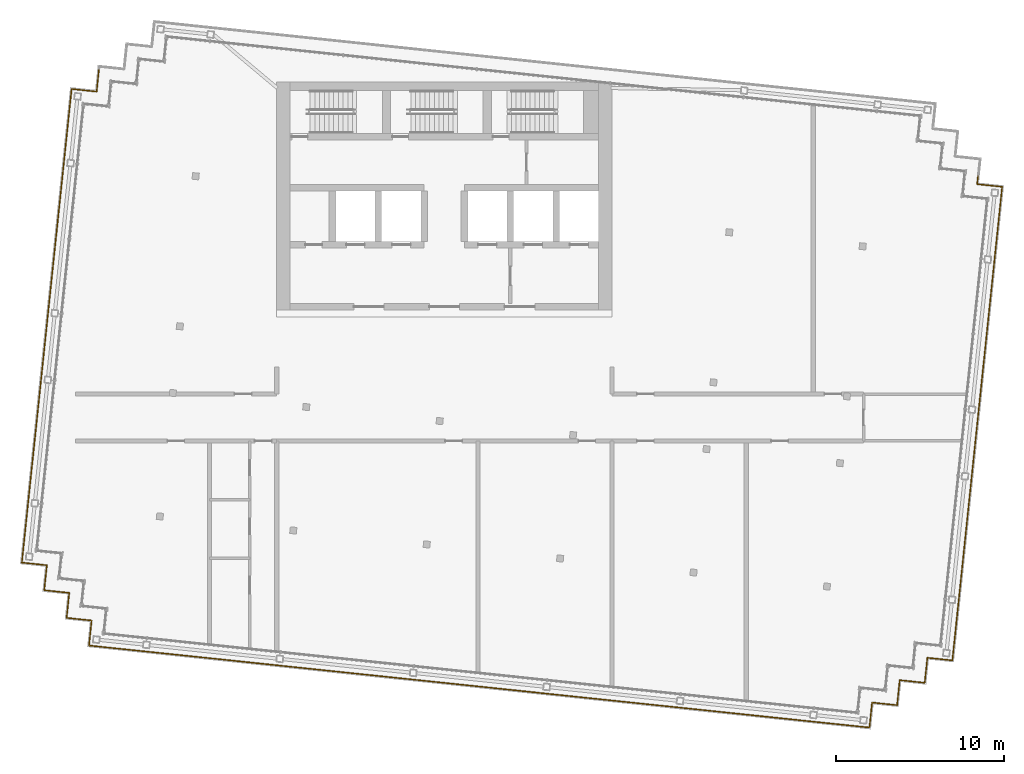
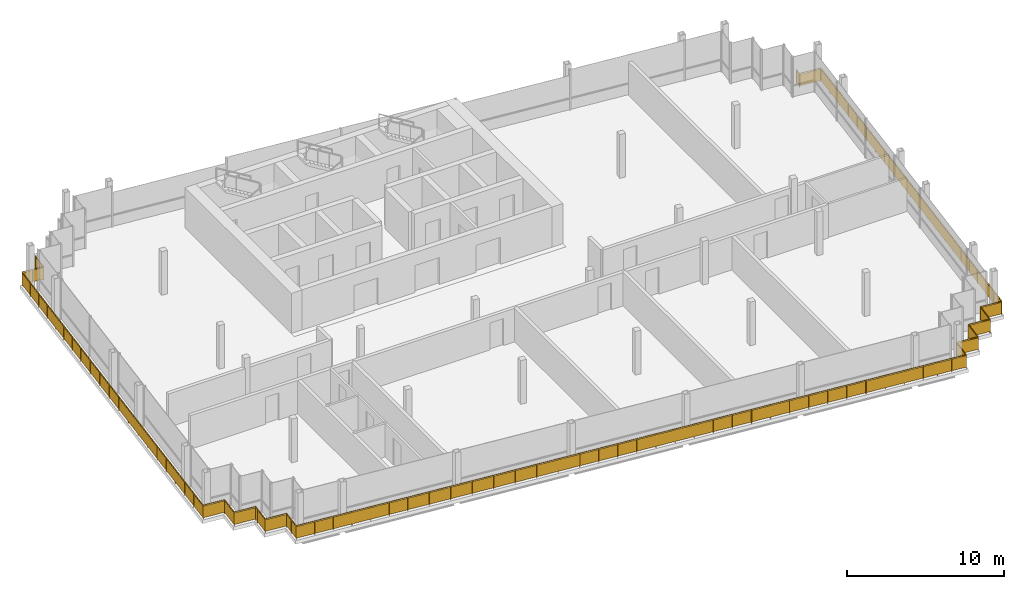
# One storey, part 13 of 15: 11 railings.
"""IFC4 building model written with IfcOpenShell, lengths in metres."""

from ifc_helpers import new_model, si_unit, direction, frame, origin, origin_2d, place, context, subcontext, project, spatial, rectangle, circle, extrude, material, type_object, element, save


model = new_model("IFC4")

# Units and contexts
model_context = context("Model", 3, precision=1e-05, world=origin(), true_north=direction((0.0, 1.0)))
body_context = subcontext(model_context, "Body", "Model", "MODEL_VIEW")
ifc_project = project(units=[si_unit("LENGTHUNIT", "METRE"), si_unit("AREAUNIT", "SQUARE_METRE"), si_unit("VOLUMEUNIT", "CUBIC_METRE"), si_unit("PLANEANGLEUNIT", "RADIAN"), si_unit("MASSUNIT", "GRAM", prefix="KILO")], contexts=[model_context])

# Site, building, storey
site_placement = place(None, origin())
site = spatial("IfcSite", under=ifc_project, at=site_placement, CompositionType="ELEMENT")
building_placement = place(site_placement, origin())
building = spatial("IfcBuilding", under=site, at=building_placement, Name="Vidyagriha Tower", CompositionType="ELEMENT")
storey_placement = place(building_placement, frame((0.0, 0.0, 291.5)))
storey = spatial("IfcBuildingStorey", under=building, at=storey_placement, Name="L75", CompositionType="ELEMENT", Elevation=291.5)

# Railings
ifc_material = material(Name="Steel ASTM A500 Grade C black painted", Category="steel")
railing_type = type_object("IfcRailingType", Name="Gallery guard 1100", PredefinedType="GUARDRAIL", material=ifc_material)
railing_1_placement = place(storey_placement, frame((30.297607421875, -14.485595703125, 0.0)))
element("IfcRailing", 1, at=railing_1_placement, inside=storey, type_object=railing_type, Name="Gallery guard L75 1", PredefinedType="GUARDRAIL", context=body_context, shape_type="SweptSolid", body=[
    extrude(circle(Radius=0.02490234375, at=origin_2d()), frame((0.0, 0.0, 1.0751953125), z_axis=(-0.994525057048, 0.104498377516, 0.0), x_axis=(-0.104498377516, -0.994525057048, 0.0)), (0.0, 0.0, 1.0), 1.5),
    extrude(circle(Radius=0.02490234375, at=origin_2d()), frame((-1.49169921875, 0.15673828125, 1.0751953125), z_axis=(-0.104498377516, -0.994525057048, 0.0), x_axis=(0.994525057048, -0.104498377516, 0.0)), (0.0, 0.0, 1.0), 1.5),
    extrude(circle(Radius=0.02490234375, at=origin_2d()), frame((-1.6484375, -1.3349609375, 1.0751953125), z_axis=(-0.994525057048, 0.104498377516, 0.0), x_axis=(-0.104498377516, -0.994525057048, 0.0)), (0.0, 0.0, 1.0), 1.5),
    extrude(circle(Radius=0.02490234375, at=origin_2d()), frame((-3.14013671875, -1.17822265625, 1.0751953125), z_axis=(-0.104659366031, -0.994508128223, 0.0), x_axis=(0.994508128223, -0.104659366031, 0.0)), (0.0, 0.0, 1.0), 1.5),
    extrude(circle(Radius=0.02490234375, at=origin_2d()), frame((-3.297119140625, -2.669921875, 1.0751953125), z_axis=(-0.994525057048, 0.104498377516, 0.0), x_axis=(-0.104498377516, -0.994525057048, 0.0)), (0.0, 0.0, 1.0), 1.5),
    extrude(circle(Radius=0.02490234375, at=origin_2d()), frame((-4.788818359375, -2.51318359375, 1.0751953125), z_axis=(-0.104498377516, -0.994525057048, 0.0), x_axis=(0.994525057048, -0.104498377516, 0.0)), (0.0, 0.0, 1.0), 1.5),
    extrude(circle(Radius=0.02490234375, at=origin_2d()), frame((-4.945556640625, -4.0048828125, 1.0751953125), z_axis=(-0.994525945657, 0.104489920156, 0.0), x_axis=(-0.104489920156, -0.994525945657, 0.0)), (0.0, 0.0, 1.0), 3.0),
    extrude(circle(Radius=0.02001953125, at=origin_2d()), origin(), (0.0, 0.0, 1.0), 1.050048828125),
    extrude(circle(Radius=0.02001953125, at=origin_2d()), frame((-1.49169921875, 0.15673828125, 0.0)), (0.0, 0.0, 1.0), 1.050048828125),
    extrude(circle(Radius=0.02001953125, at=origin_2d()), frame((-1.6484375, -1.3349609375, 0.0)), (0.0, 0.0, 1.0), 1.050048828125),
    extrude(circle(Radius=0.02001953125, at=origin_2d()), frame((-3.14013671875, -1.17822265625, 0.0)), (0.0, 0.0, 1.0), 1.050048828125),
    extrude(circle(Radius=0.02001953125, at=origin_2d()), frame((-3.297119140625, -2.669921875, 0.0)), (0.0, 0.0, 1.0), 1.050048828125),
    extrude(circle(Radius=0.02001953125, at=origin_2d()), frame((-4.788818359375, -2.51318359375, 0.0)), (0.0, 0.0, 1.0), 1.050048828125),
    extrude(circle(Radius=0.02001953125, at=origin_2d()), frame((-4.945556640625, -4.0048828125, 0.0)), (0.0, 0.0, 1.0), 1.050048828125),
    extrude(circle(Radius=0.02001953125, at=origin_2d()), frame((-5.940185546875, -3.900390625, 0.0)), (0.0, 0.0, 1.0), 1.050048828125),
    extrude(circle(Radius=0.02001953125, at=origin_2d()), frame((-6.9345703125, -3.7958984375, 0.0)), (0.0, 0.0, 1.0), 1.050048828125),
    extrude(circle(Radius=0.02001953125, at=origin_2d()), frame((-7.92919921875, -3.69140625, 0.0)), (0.0, 0.0, 1.0), 1.050048828125),
    extrude(rectangle(XDim=0.010009765625, YDim=0.900146484375, at=origin_2d()), frame((0.0, 0.0, 0.550048828125), z_axis=(-0.994525057048, 0.104498377516, 0.0), x_axis=(-0.104498377516, -0.994525057048, 0.0)), (0.0, 0.0, 1.0), 1.5),
    extrude(rectangle(XDim=0.010009765625, YDim=0.900146484375, at=origin_2d()), frame((-1.49169921875, 0.15673828125, 0.550048828125), z_axis=(-0.104498377516, -0.994525057048, 0.0), x_axis=(0.994525057048, -0.104498377516, 0.0)), (0.0, 0.0, 1.0), 1.5),
    extrude(rectangle(XDim=0.010009765625, YDim=0.900146484375, at=origin_2d()), frame((-1.6484375, -1.3349609375, 0.550048828125), z_axis=(-0.994525057048, 0.104498377516, 0.0), x_axis=(-0.104498377516, -0.994525057048, 0.0)), (0.0, 0.0, 1.0), 1.5),
    extrude(rectangle(XDim=0.010009765625, YDim=0.900146484375, at=origin_2d()), frame((-3.14013671875, -1.17822265625, 0.550048828125), z_axis=(-0.104659366031, -0.994508128223, 0.0), x_axis=(0.994508128223, -0.104659366031, 0.0)), (0.0, 0.0, 1.0), 1.5),
    extrude(rectangle(XDim=0.010009765625, YDim=0.900146484375, at=origin_2d()), frame((-3.297119140625, -2.669921875, 0.550048828125), z_axis=(-0.994525057048, 0.104498377516, 0.0), x_axis=(-0.104498377516, -0.994525057048, 0.0)), (0.0, 0.0, 1.0), 1.5),
    extrude(rectangle(XDim=0.010009765625, YDim=0.900146484375, at=origin_2d()), frame((-4.788818359375, -2.51318359375, 0.550048828125), z_axis=(-0.104498377516, -0.994525057048, 0.0), x_axis=(0.994525057048, -0.104498377516, 0.0)), (0.0, 0.0, 1.0), 1.5),
    extrude(rectangle(XDim=0.010009765625, YDim=0.900146484375, at=origin_2d()), frame((-4.945556640625, -4.0048828125, 0.550048828125), z_axis=(-0.994525945657, 0.104489920156, 0.0), x_axis=(-0.104489920156, -0.994525945657, 0.0)), (0.0, 0.0, 1.0), 3.0),
])
railing_2_placement = place(storey_placement, frame((22.368408203125, -18.177001953125, 0.0)))
element("IfcRailing", 2, at=railing_2_placement, inside=storey, type_object=railing_type, Name="Gallery guard L75 2", PredefinedType="GUARDRAIL", context=body_context, shape_type="SweptSolid", body=[
    extrude(circle(Radius=0.02490234375, at=origin_2d()), frame((0.0, 0.0, 1.0751953125), z_axis=(-0.994521494219, 0.104532279878, 0.0), x_axis=(-0.104532279878, -0.994521494219, 0.0)), (0.0, 0.0, 1.0), 12.0),
    extrude(circle(Radius=0.02001953125, at=origin_2d()), origin(), (0.0, 0.0, 1.0), 1.050048828125),
    extrude(circle(Radius=0.02001953125, at=origin_2d()), frame((-1.325927734375, 0.139404296875, 0.0)), (0.0, 0.0, 1.0), 1.050048828125),
    extrude(circle(Radius=0.02001953125, at=origin_2d()), frame((-2.652099609375, 0.27880859375, 0.0)), (0.0, 0.0, 1.0), 1.050048828125),
    extrude(circle(Radius=0.02001953125, at=origin_2d()), frame((-3.97802734375, 0.418212890625, 0.0)), (0.0, 0.0, 1.0), 1.050048828125),
    extrude(circle(Radius=0.02001953125, at=origin_2d()), frame((-5.30419921875, 0.5576171875, 0.0)), (0.0, 0.0, 1.0), 1.050048828125),
    extrude(circle(Radius=0.02001953125, at=origin_2d()), frame((-6.630126953125, 0.69677734375, 0.0)), (0.0, 0.0, 1.0), 1.050048828125),
    extrude(circle(Radius=0.02001953125, at=origin_2d()), frame((-7.956298828125, 0.836181640625, 0.0)), (0.0, 0.0, 1.0), 1.050048828125),
    extrude(circle(Radius=0.02001953125, at=origin_2d()), frame((-9.2822265625, 0.9755859375, 0.0)), (0.0, 0.0, 1.0), 1.050048828125),
    extrude(circle(Radius=0.02001953125, at=origin_2d()), frame((-10.6083984375, 1.114990234375, 0.0)), (0.0, 0.0, 1.0), 1.050048828125),
    extrude(circle(Radius=0.02001953125, at=origin_2d()), frame((-11.934326171875, 1.25439453125, 0.0)), (0.0, 0.0, 1.0), 1.050048828125),
    extrude(rectangle(XDim=0.010009765625, YDim=0.900146484375, at=origin_2d()), frame((0.0, 0.0, 0.550048828125), z_axis=(-0.994521494219, 0.104532279878, 0.0), x_axis=(-0.104532279878, -0.994521494219, 0.0)), (0.0, 0.0, 1.0), 12.0),
])
railing_3_placement = place(storey_placement, frame((10.43408203125, -16.922607421875, 0.0)))
element("IfcRailing", 3, at=railing_3_placement, inside=storey, type_object=railing_type, Name="Gallery guard L75 3", PredefinedType="GUARDRAIL", context=body_context, shape_type="SweptSolid", body=[
    extrude(circle(Radius=0.02490234375, at=origin_2d()), frame((0.0, 0.0, 1.0751953125), z_axis=(-0.994521494219, 0.104532279878, 0.0), x_axis=(-0.104532279878, -0.994521494219, 0.0)), (0.0, 0.0, 1.0), 12.0),
    extrude(circle(Radius=0.02001953125, at=origin_2d()), origin(), (0.0, 0.0, 1.0), 1.050048828125),
    extrude(circle(Radius=0.02001953125, at=origin_2d()), frame((-1.325927734375, 0.139404296875, 0.0)), (0.0, 0.0, 1.0), 1.050048828125),
    extrude(circle(Radius=0.02001953125, at=origin_2d()), frame((-2.652099609375, 0.27880859375, 0.0)), (0.0, 0.0, 1.0), 1.050048828125),
    extrude(circle(Radius=0.02001953125, at=origin_2d()), frame((-3.97802734375, 0.418212890625, 0.0)), (0.0, 0.0, 1.0), 1.050048828125),
    extrude(circle(Radius=0.02001953125, at=origin_2d()), frame((-5.30419921875, 0.5576171875, 0.0)), (0.0, 0.0, 1.0), 1.050048828125),
    extrude(circle(Radius=0.02001953125, at=origin_2d()), frame((-6.630126953125, 0.69677734375, 0.0)), (0.0, 0.0, 1.0), 1.050048828125),
    extrude(circle(Radius=0.02001953125, at=origin_2d()), frame((-7.956298828125, 0.836181640625, 0.0)), (0.0, 0.0, 1.0), 1.050048828125),
    extrude(circle(Radius=0.02001953125, at=origin_2d()), frame((-9.2822265625, 0.9755859375, 0.0)), (0.0, 0.0, 1.0), 1.050048828125),
    extrude(circle(Radius=0.02001953125, at=origin_2d()), frame((-10.6083984375, 1.114990234375, 0.0)), (0.0, 0.0, 1.0), 1.050048828125),
    extrude(circle(Radius=0.02001953125, at=origin_2d()), frame((-11.934326171875, 1.25439453125, 0.0)), (0.0, 0.0, 1.0), 1.050048828125),
    extrude(rectangle(XDim=0.010009765625, YDim=0.900146484375, at=origin_2d()), frame((0.0, 0.0, 0.550048828125), z_axis=(-0.994521494219, 0.104532279878, 0.0), x_axis=(-0.104532279878, -0.994521494219, 0.0)), (0.0, 0.0, 1.0), 12.0),
])
railing_4_placement = place(storey_placement, frame((-1.500244140625, -15.668212890625, 0.0)))
element("IfcRailing", 4, at=railing_4_placement, inside=storey, type_object=railing_type, Name="Gallery guard L75 4", PredefinedType="GUARDRAIL", context=body_context, shape_type="SweptSolid", body=[
    extrude(circle(Radius=0.02490234375, at=origin_2d()), frame((0.0, 0.0, 1.0751953125), z_axis=(-0.994521271903, 0.104534394972, 0.0), x_axis=(-0.104534394972, -0.994521271903, 0.0)), (0.0, 0.0, 1.0), 11.999755859375),
    extrude(circle(Radius=0.02001953125, at=origin_2d()), origin(), (0.0, 0.0, 1.0), 1.050048828125),
    extrude(circle(Radius=0.02001953125, at=origin_2d()), frame((-1.49169921875, 0.15673828125, 0.0)), (0.0, 0.0, 1.0), 1.050048828125),
    extrude(circle(Radius=0.02001953125, at=origin_2d()), frame((-2.9833984375, 0.3134765625, 0.0)), (0.0, 0.0, 1.0), 1.050048828125),
    extrude(circle(Radius=0.02001953125, at=origin_2d()), frame((-4.475341796875, 0.470458984375, 0.0)), (0.0, 0.0, 1.0), 1.050048828125),
    extrude(circle(Radius=0.02001953125, at=origin_2d()), frame((-5.967041015625, 0.627197265625, 0.0)), (0.0, 0.0, 1.0), 1.050048828125),
    extrude(circle(Radius=0.02001953125, at=origin_2d()), frame((-7.458740234375, 0.783935546875, 0.0)), (0.0, 0.0, 1.0), 1.050048828125),
    extrude(circle(Radius=0.02001953125, at=origin_2d()), frame((-8.95068359375, 0.94091796875, 0.0)), (0.0, 0.0, 1.0), 1.050048828125),
    extrude(circle(Radius=0.02001953125, at=origin_2d()), frame((-10.4423828125, 1.09765625, 0.0)), (0.0, 0.0, 1.0), 1.050048828125),
    extrude(circle(Radius=0.02001953125, at=origin_2d()), frame((-11.93408203125, 1.25439453125, 0.0)), (0.0, 0.0, 1.0), 1.050048828125),
    extrude(rectangle(XDim=0.010009765625, YDim=0.900146484375, at=origin_2d()), frame((0.0, 0.0, 0.550048828125), z_axis=(-0.994521271903, 0.104534394972, 0.0), x_axis=(-0.104534394972, -0.994521271903, 0.0)), (0.0, 0.0, 1.0), 11.999755859375),
])
railing_5_placement = place(storey_placement, frame((-13.434326171875, -14.413818359375, 0.0)))
element("IfcRailing", 5, at=railing_5_placement, inside=storey, type_object=railing_type, Name="Gallery guard L75 5", PredefinedType="GUARDRAIL", context=body_context, shape_type="SweptSolid", body=[
    extrude(circle(Radius=0.02490234375, at=origin_2d()), frame((0.0, 0.0, 1.0751953125), z_axis=(-0.994523788829, 0.10451044662, 0.0), x_axis=(-0.10451044662, -0.994523788829, 0.0)), (0.0, 0.0, 1.0), 7.800048828125),
    extrude(circle(Radius=0.02490234375, at=origin_2d()), frame((-7.75732421875, 0.815185546875, 1.0751953125), z_axis=(0.104481464157, 0.994526834051, 0.0), x_axis=(-0.994526834051, 0.104481464157, 0.0)), (0.0, 0.0, 1.0), 1.500244140625),
    extrude(circle(Radius=0.02490234375, at=origin_2d()), frame((-7.6005859375, 2.30712890625, 1.0751953125), z_axis=(-0.994525057048, 0.104498377516, 0.0), x_axis=(-0.104498377516, -0.994525057048, 0.0)), (0.0, 0.0, 1.0), 1.5),
    extrude(circle(Radius=0.02490234375, at=origin_2d()), frame((-9.09228515625, 2.4638671875, 1.0751953125), z_axis=(0.104578872801, 0.994516595821, 0.0), x_axis=(-0.994516595821, 0.104578872801, 0.0)), (0.0, 0.0, 1.0), 1.199951171875),
    extrude(circle(Radius=0.02001953125, at=origin_2d()), origin(), (0.0, 0.0, 1.0), 1.050048828125),
    extrude(circle(Radius=0.02001953125, at=origin_2d()), frame((-1.29296875, 0.1357421875, 0.0)), (0.0, 0.0, 1.0), 1.050048828125),
    extrude(circle(Radius=0.02001953125, at=origin_2d()), frame((-2.585693359375, 0.271728515625, 0.0)), (0.0, 0.0, 1.0), 1.050048828125),
    extrude(circle(Radius=0.02001953125, at=origin_2d()), frame((-3.878662109375, 0.40771484375, 0.0)), (0.0, 0.0, 1.0), 1.050048828125),
    extrude(circle(Radius=0.02001953125, at=origin_2d()), frame((-5.171630859375, 0.54345703125, 0.0)), (0.0, 0.0, 1.0), 1.050048828125),
    extrude(circle(Radius=0.02001953125, at=origin_2d()), frame((-6.46435546875, 0.67919921875, 0.0)), (0.0, 0.0, 1.0), 1.050048828125),
    extrude(circle(Radius=0.02001953125, at=origin_2d()), frame((-7.75732421875, 0.815185546875, 0.0)), (0.0, 0.0, 1.0), 1.050048828125),
    extrude(circle(Radius=0.02001953125, at=origin_2d()), frame((-7.678955078125, 1.56103515625, 0.0)), (0.0, 0.0, 1.0), 1.050048828125),
    extrude(circle(Radius=0.02001953125, at=origin_2d()), frame((-7.6005859375, 2.30712890625, 0.0)), (0.0, 0.0, 1.0), 1.050048828125),
    extrude(circle(Radius=0.02001953125, at=origin_2d()), frame((-9.09228515625, 2.4638671875, 0.0)), (0.0, 0.0, 1.0), 1.050048828125),
    extrude(circle(Radius=0.02001953125, at=origin_2d()), frame((-8.966796875, 3.6572265625, 0.0)), (0.0, 0.0, 1.0), 1.050048828125),
    extrude(rectangle(XDim=0.010009765625, YDim=0.900146484375, at=origin_2d()), frame((0.0, 0.0, 0.550048828125), z_axis=(-0.994523788829, 0.10451044662, 0.0), x_axis=(-0.10451044662, -0.994523788829, 0.0)), (0.0, 0.0, 1.0), 7.800048828125),
    extrude(rectangle(XDim=0.010009765625, YDim=0.900146484375, at=origin_2d()), frame((-7.75732421875, 0.815185546875, 0.550048828125), z_axis=(0.104481464157, 0.994526834051, 0.0), x_axis=(-0.994526834051, 0.104481464157, 0.0)), (0.0, 0.0, 1.0), 1.500244140625),
    extrude(rectangle(XDim=0.010009765625, YDim=0.900146484375, at=origin_2d()), frame((-7.6005859375, 2.30712890625, 0.550048828125), z_axis=(-0.994525057048, 0.104498377516, 0.0), x_axis=(-0.104498377516, -0.994525057048, 0.0)), (0.0, 0.0, 1.0), 1.5),
    extrude(rectangle(XDim=0.010009765625, YDim=0.900146484375, at=origin_2d()), frame((-9.09228515625, 2.4638671875, 0.550048828125), z_axis=(0.104578872801, 0.994516595821, 0.0), x_axis=(-0.994516595821, 0.104578872801, 0.0)), (0.0, 0.0, 1.0), 1.199951171875),
])
railing_6_placement = place(storey_placement, frame((-22.401123046875, -10.756591796875, 0.0)))
element("IfcRailing", 6, at=railing_6_placement, inside=storey, type_object=railing_type, Name="Gallery guard L75 6", PredefinedType="GUARDRAIL", context=body_context, shape_type="SweptSolid", body=[
    extrude(circle(Radius=0.02490234375, at=origin_2d()), frame((0.0, 0.0, 1.0751953125), z_axis=(0.104176375855, 0.994558838236, 0.0), x_axis=(-0.994558838236, 0.104176375855, 0.0)), (0.0, 0.0, 1.0), 0.300048828125),
    extrude(circle(Radius=0.02490234375, at=origin_2d()), frame((0.03125, 0.29833984375, 1.0751953125), z_axis=(-0.994525057048, 0.104498377516, 0.0), x_axis=(-0.104498377516, -0.994525057048, 0.0)), (0.0, 0.0, 1.0), 1.5),
    extrude(circle(Radius=0.02490234375, at=origin_2d()), frame((-1.46044921875, 0.455078125, 1.0751953125), z_axis=(0.104498377516, 0.994525057048, 0.0), x_axis=(-0.994525057048, 0.104498377516, 0.0)), (0.0, 0.0, 1.0), 1.5),
    extrude(circle(Radius=0.02490234375, at=origin_2d()), frame((-1.3037109375, 1.94677734375, 1.0751953125), z_axis=(-0.994508128223, 0.104659366031, 0.0), x_axis=(-0.104659366031, -0.994508128223, 0.0)), (0.0, 0.0, 1.0), 1.5),
    extrude(circle(Radius=0.02490234375, at=origin_2d()), frame((-2.79541015625, 2.103759765625, 1.0751953125), z_axis=(0.10450474476, 0.994524387998, 0.0), x_axis=(-0.994524387998, 0.10450474476, 0.0)), (0.0, 0.0, 1.0), 7.199951171875),
    extrude(circle(Radius=0.02001953125, at=origin_2d()), origin(), (0.0, 0.0, 1.0), 1.050048828125),
    extrude(circle(Radius=0.02001953125, at=origin_2d()), frame((0.03125, 0.29833984375, 0.0)), (0.0, 0.0, 1.0), 1.050048828125),
    extrude(circle(Radius=0.02001953125, at=origin_2d()), frame((-1.46044921875, 0.455078125, 0.0)), (0.0, 0.0, 1.0), 1.050048828125),
    extrude(circle(Radius=0.02001953125, at=origin_2d()), frame((-1.3037109375, 1.94677734375, 0.0)), (0.0, 0.0, 1.0), 1.050048828125),
    extrude(circle(Radius=0.02001953125, at=origin_2d()), frame((-2.79541015625, 2.103759765625, 0.0)), (0.0, 0.0, 1.0), 1.050048828125),
    extrude(circle(Radius=0.02001953125, at=origin_2d()), frame((-2.64501953125, 3.535888671875, 0.0)), (0.0, 0.0, 1.0), 1.050048828125),
    extrude(circle(Radius=0.02001953125, at=origin_2d()), frame((-2.494384765625, 4.968017578125, 0.0)), (0.0, 0.0, 1.0), 1.050048828125),
    extrude(circle(Radius=0.02001953125, at=origin_2d()), frame((-2.343994140625, 6.400146484375, 0.0)), (0.0, 0.0, 1.0), 1.050048828125),
    extrude(circle(Radius=0.02001953125, at=origin_2d()), frame((-2.193359375, 7.832275390625, 0.0)), (0.0, 0.0, 1.0), 1.050048828125),
    extrude(circle(Radius=0.02001953125, at=origin_2d()), frame((-2.04296875, 9.264404296875, 0.0)), (0.0, 0.0, 1.0), 1.050048828125),
    extrude(rectangle(XDim=0.010009765625, YDim=0.900146484375, at=origin_2d()), frame((0.0, 0.0, 0.550048828125), z_axis=(0.104176375855, 0.994558838236, 0.0), x_axis=(-0.994558838236, 0.104176375855, 0.0)), (0.0, 0.0, 1.0), 0.300048828125),
    extrude(rectangle(XDim=0.010009765625, YDim=0.900146484375, at=origin_2d()), frame((0.03125, 0.29833984375, 0.550048828125), z_axis=(-0.994525057048, 0.104498377516, 0.0), x_axis=(-0.104498377516, -0.994525057048, 0.0)), (0.0, 0.0, 1.0), 1.5),
    extrude(rectangle(XDim=0.010009765625, YDim=0.900146484375, at=origin_2d()), frame((-1.46044921875, 0.455078125, 0.550048828125), z_axis=(0.104498377516, 0.994525057048, 0.0), x_axis=(-0.994525057048, 0.104498377516, 0.0)), (0.0, 0.0, 1.0), 1.5),
    extrude(rectangle(XDim=0.010009765625, YDim=0.900146484375, at=origin_2d()), frame((-1.3037109375, 1.94677734375, 0.550048828125), z_axis=(-0.994508128223, 0.104659366031, 0.0), x_axis=(-0.104659366031, -0.994508128223, 0.0)), (0.0, 0.0, 1.0), 1.5),
    extrude(rectangle(XDim=0.010009765625, YDim=0.900146484375, at=origin_2d()), frame((-2.79541015625, 2.103759765625, 0.550048828125), z_axis=(0.10450474476, 0.994524387998, 0.0), x_axis=(-0.994524387998, 0.10450474476, 0.0)), (0.0, 0.0, 1.0), 7.199951171875),
])
railing_7_placement = place(storey_placement, frame((-24.444091796875, -1.4921875, 0.0)))
element("IfcRailing", 7, at=railing_7_placement, inside=storey, type_object=railing_type, Name="Gallery guard L75 7", PredefinedType="GUARDRAIL", context=body_context, shape_type="SweptSolid", body=[
    extrude(circle(Radius=0.02490234375, at=origin_2d()), frame((0.0, 0.0, 1.0751953125), z_axis=(0.104534394972, 0.994521271903, 0.0), x_axis=(-0.994521271903, 0.104534394972, 0.0)), (0.0, 0.0, 1.0), 11.999755859375),
    extrude(circle(Radius=0.02001953125, at=origin_2d()), origin(), (0.0, 0.0, 1.0), 1.050048828125),
    extrude(circle(Radius=0.02001953125, at=origin_2d()), frame((0.15673828125, 1.49169921875, 0.0)), (0.0, 0.0, 1.0), 1.050048828125),
    extrude(circle(Radius=0.02001953125, at=origin_2d()), frame((0.3134765625, 2.9833984375, 0.0)), (0.0, 0.0, 1.0), 1.050048828125),
    extrude(circle(Radius=0.02001953125, at=origin_2d()), frame((0.470458984375, 4.475341796875, 0.0)), (0.0, 0.0, 1.0), 1.050048828125),
    extrude(circle(Radius=0.02001953125, at=origin_2d()), frame((0.627197265625, 5.967041015625, 0.0)), (0.0, 0.0, 1.0), 1.050048828125),
    extrude(circle(Radius=0.02001953125, at=origin_2d()), frame((0.783935546875, 7.458740234375, 0.0)), (0.0, 0.0, 1.0), 1.050048828125),
    extrude(circle(Radius=0.02001953125, at=origin_2d()), frame((0.94091796875, 8.95068359375, 0.0)), (0.0, 0.0, 1.0), 1.050048828125),
    extrude(circle(Radius=0.02001953125, at=origin_2d()), frame((1.09765625, 10.4423828125, 0.0)), (0.0, 0.0, 1.0), 1.050048828125),
    extrude(circle(Radius=0.02001953125, at=origin_2d()), frame((1.25439453125, 11.93408203125, 0.0)), (0.0, 0.0, 1.0), 1.050048828125),
    extrude(rectangle(XDim=0.010009765625, YDim=0.900146484375, at=origin_2d()), frame((0.0, 0.0, 0.550048828125), z_axis=(0.104534394972, 0.994521271903, 0.0), x_axis=(-0.994521271903, 0.104534394972, 0.0)), (0.0, 0.0, 1.0), 11.999755859375),
])
railing_8_placement = place(storey_placement, frame((-23.189697265625, 10.44189453125, 0.0)))
element("IfcRailing", 8, at=railing_8_placement, inside=storey, type_object=railing_type, Name="Gallery guard L75 8", PredefinedType="GUARDRAIL", context=body_context, shape_type="SweptSolid", body=[
    extrude(circle(Radius=0.02490234375, at=origin_2d()), frame((0.0, 0.0, 1.0751953125), z_axis=(0.104528688334, 0.994521871713, 0.0), x_axis=(-0.994521871713, 0.104528688334, 0.0)), (0.0, 0.0, 1.0), 9.199951171875),
    extrude(circle(Radius=0.02490234375, at=origin_2d()), frame((0.961669921875, 9.149658203125, 1.0751953125), z_axis=(0.994526834051, -0.104481464157, 0.0), x_axis=(0.104481464157, 0.994526834051, 0.0)), (0.0, 0.0, 1.0), 1.500244140625),
    extrude(circle(Radius=0.02490234375, at=origin_2d()), frame((2.45361328125, 8.992919921875, 1.0751953125), z_axis=(0.104411070641, 0.994534226826, 0.0), x_axis=(-0.994534226826, 0.104411070641, 0.0)), (0.0, 0.0, 1.0), 1.300048828125),
    extrude(circle(Radius=0.02001953125, at=origin_2d()), origin(), (0.0, 0.0, 1.0), 1.050048828125),
    extrude(circle(Radius=0.02001953125, at=origin_2d()), frame((0.137451171875, 1.30712890625, 0.0)), (0.0, 0.0, 1.0), 1.050048828125),
    extrude(circle(Radius=0.02001953125, at=origin_2d()), frame((0.274658203125, 2.6142578125, 0.0)), (0.0, 0.0, 1.0), 1.050048828125),
    extrude(circle(Radius=0.02001953125, at=origin_2d()), frame((0.412109375, 3.92138671875, 0.0)), (0.0, 0.0, 1.0), 1.050048828125),
    extrude(circle(Radius=0.02001953125, at=origin_2d()), frame((0.549560546875, 5.228271484375, 0.0)), (0.0, 0.0, 1.0), 1.050048828125),
    extrude(circle(Radius=0.02001953125, at=origin_2d()), frame((0.68701171875, 6.535400390625, 0.0)), (0.0, 0.0, 1.0), 1.050048828125),
    extrude(circle(Radius=0.02001953125, at=origin_2d()), frame((0.82421875, 7.842529296875, 0.0)), (0.0, 0.0, 1.0), 1.050048828125),
    extrude(circle(Radius=0.02001953125, at=origin_2d()), frame((0.961669921875, 9.149658203125, 0.0)), (0.0, 0.0, 1.0), 1.050048828125),
    extrude(circle(Radius=0.02001953125, at=origin_2d()), frame((1.70751953125, 9.0712890625, 0.0)), (0.0, 0.0, 1.0), 1.050048828125),
    extrude(circle(Radius=0.02001953125, at=origin_2d()), frame((2.45361328125, 8.992919921875, 0.0)), (0.0, 0.0, 1.0), 1.050048828125),
    extrude(circle(Radius=0.02001953125, at=origin_2d()), frame((2.58935546875, 10.285888671875, 0.0)), (0.0, 0.0, 1.0), 1.050048828125),
    extrude(rectangle(XDim=0.010009765625, YDim=0.900146484375, at=origin_2d()), frame((0.0, 0.0, 0.550048828125), z_axis=(0.104528688334, 0.994521871713, 0.0), x_axis=(-0.994521871713, 0.104528688334, 0.0)), (0.0, 0.0, 1.0), 9.199951171875),
    extrude(rectangle(XDim=0.010009765625, YDim=0.900146484375, at=origin_2d()), frame((0.961669921875, 9.149658203125, 0.550048828125), z_axis=(0.994526834051, -0.104481464157, 0.0), x_axis=(0.104481464157, 0.994526834051, 0.0)), (0.0, 0.0, 1.0), 1.500244140625),
    extrude(rectangle(XDim=0.010009765625, YDim=0.900146484375, at=origin_2d()), frame((2.45361328125, 8.992919921875, 0.550048828125), z_axis=(0.104411070641, 0.994534226826, 0.0), x_axis=(-0.994534226826, 0.104411070641, 0.0)), (0.0, 0.0, 1.0), 1.300048828125),
])
railing_9_placement = place(storey_placement, frame((31.826904296875, 14.412841796875, 0.0)))
element("IfcRailing", 9, at=railing_9_placement, inside=storey, type_object=railing_type, Name="Gallery guard L75 14", PredefinedType="GUARDRAIL", context=body_context, shape_type="SweptSolid", body=[
    extrude(circle(Radius=0.02490234375, at=origin_2d()), frame((0.0, 0.0, 1.0751953125), z_axis=(-0.104481464157, -0.994526834051, 0.0), x_axis=(0.994526834051, -0.104481464157, 0.0)), (0.0, 0.0, 1.0), 0.5),
    extrude(circle(Radius=0.02490234375, at=origin_2d()), frame((-0.05224609375, -0.497314453125, 1.0751953125), z_axis=(0.994525057048, -0.104498377516, 0.0), x_axis=(0.104498377516, 0.994525057048, 0.0)), (0.0, 0.0, 1.0), 1.5),
    extrude(circle(Radius=0.02490234375, at=origin_2d()), frame((1.439453125, -0.654052734375, 1.0751953125), z_axis=(-0.104539905878, -0.994520692635, 0.0), x_axis=(0.994520692635, -0.104539905878, 0.0)), (0.0, 0.0, 1.0), 10.0),
    extrude(circle(Radius=0.02001953125, at=origin_2d()), origin(), (0.0, 0.0, 1.0), 1.050048828125),
    extrude(circle(Radius=0.02001953125, at=origin_2d()), frame((-0.05224609375, -0.497314453125, 0.0)), (0.0, 0.0, 1.0), 1.050048828125),
    extrude(circle(Radius=0.02001953125, at=origin_2d()), frame((1.439453125, -0.654052734375, 0.0)), (0.0, 0.0, 1.0), 1.050048828125),
    extrude(circle(Radius=0.02001953125, at=origin_2d()), frame((1.2900390625, -2.07470703125, 0.0)), (0.0, 0.0, 1.0), 1.050048828125),
    extrude(circle(Radius=0.02001953125, at=origin_2d()), frame((1.140869140625, -3.49560546875, 0.0)), (0.0, 0.0, 1.0), 1.050048828125),
    extrude(circle(Radius=0.02001953125, at=origin_2d()), frame((0.991455078125, -4.916259765625, 0.0)), (0.0, 0.0, 1.0), 1.050048828125),
    extrude(circle(Radius=0.02001953125, at=origin_2d()), frame((0.842041015625, -6.337158203125, 0.0)), (0.0, 0.0, 1.0), 1.050048828125),
    extrude(circle(Radius=0.02001953125, at=origin_2d()), frame((0.692626953125, -7.7578125, 0.0)), (0.0, 0.0, 1.0), 1.050048828125),
    extrude(circle(Radius=0.02001953125, at=origin_2d()), frame((0.54345703125, -9.1787109375, 0.0)), (0.0, 0.0, 1.0), 1.050048828125),
    extrude(circle(Radius=0.02001953125, at=origin_2d()), frame((0.39404296875, -10.599365234375, 0.0)), (0.0, 0.0, 1.0), 1.050048828125),
    extrude(rectangle(XDim=0.010009765625, YDim=0.900146484375, at=origin_2d()), frame((0.0, 0.0, 0.550048828125), z_axis=(-0.104481464157, -0.994526834051, 0.0), x_axis=(0.994526834051, -0.104481464157, 0.0)), (0.0, 0.0, 1.0), 0.5),
    extrude(rectangle(XDim=0.010009765625, YDim=0.900146484375, at=origin_2d()), frame((-0.05224609375, -0.497314453125, 0.550048828125), z_axis=(0.994525057048, -0.104498377516, 0.0), x_axis=(0.104498377516, 0.994525057048, 0.0)), (0.0, 0.0, 1.0), 1.5),
    extrude(rectangle(XDim=0.010009765625, YDim=0.900146484375, at=origin_2d()), frame((1.439453125, -0.654052734375, 0.550048828125), z_axis=(-0.104539905878, -0.994520692635, 0.0), x_axis=(0.994520692635, -0.104539905878, 0.0)), (0.0, 0.0, 1.0), 10.0),
])
railing_10_placement = place(storey_placement, frame((32.220947265625, 3.8134765625, 0.0)))
element("IfcRailing", 10, at=railing_10_placement, inside=storey, type_object=railing_type, Name="Gallery guard L75 15", PredefinedType="GUARDRAIL", context=body_context, shape_type="SweptSolid", body=[
    extrude(circle(Radius=0.02490234375, at=origin_2d()), frame((0.0, 0.0, 1.0751953125), z_axis=(-0.104512157188, -0.994523609071, 0.0), x_axis=(0.994523609071, -0.104512157188, 0.0)), (0.0, 0.0, 1.0), 12.0),
    extrude(circle(Radius=0.02001953125, at=origin_2d()), origin(), (0.0, 0.0, 1.0), 1.050048828125),
    extrude(circle(Radius=0.02001953125, at=origin_2d()), frame((-0.139404296875, -1.325927734375, 0.0)), (0.0, 0.0, 1.0), 1.050048828125),
    extrude(circle(Radius=0.02001953125, at=origin_2d()), frame((-0.27880859375, -2.652099609375, 0.0)), (0.0, 0.0, 1.0), 1.050048828125),
    extrude(circle(Radius=0.02001953125, at=origin_2d()), frame((-0.41796875, -3.97802734375, 0.0)), (0.0, 0.0, 1.0), 1.050048828125),
    extrude(circle(Radius=0.02001953125, at=origin_2d()), frame((-0.557373046875, -5.30419921875, 0.0)), (0.0, 0.0, 1.0), 1.050048828125),
    extrude(circle(Radius=0.02001953125, at=origin_2d()), frame((-0.69677734375, -6.630126953125, 0.0)), (0.0, 0.0, 1.0), 1.050048828125),
    extrude(circle(Radius=0.02001953125, at=origin_2d()), frame((-0.836181640625, -7.956298828125, 0.0)), (0.0, 0.0, 1.0), 1.050048828125),
    extrude(circle(Radius=0.02001953125, at=origin_2d()), frame((-0.975341796875, -9.2822265625, 0.0)), (0.0, 0.0, 1.0), 1.050048828125),
    extrude(circle(Radius=0.02001953125, at=origin_2d()), frame((-1.11474609375, -10.6083984375, 0.0)), (0.0, 0.0, 1.0), 1.050048828125),
    extrude(circle(Radius=0.02001953125, at=origin_2d()), frame((-1.254150390625, -11.934326171875, 0.0)), (0.0, 0.0, 1.0), 1.050048828125),
    extrude(rectangle(XDim=0.010009765625, YDim=0.900146484375, at=origin_2d()), frame((0.0, 0.0, 0.550048828125), z_axis=(-0.104512157188, -0.994523609071, 0.0), x_axis=(0.994523609071, -0.104512157188, 0.0)), (0.0, 0.0, 1.0), 12.0),
])
railing_11_placement = place(storey_placement, frame((30.966796875, -8.120849609375, 0.0)))
element("IfcRailing", 11, at=railing_11_placement, inside=storey, type_object=railing_type, Name="Gallery guard L75 16", PredefinedType="GUARDRAIL", context=body_context, shape_type="SweptSolid", body=[
    extrude(circle(Radius=0.02490234375, at=origin_2d()), frame((0.0, 0.0, 1.0751953125), z_axis=(-0.104563650797, -0.994518196381, 0.0), x_axis=(0.994518196381, -0.104563650797, 0.0)), (0.0, 0.0, 1.0), 6.39990234375),
    extrude(circle(Radius=0.02001953125, at=origin_2d()), origin(), (0.0, 0.0, 1.0), 1.050048828125),
    extrude(circle(Radius=0.02001953125, at=origin_2d()), frame((-0.1337890625, -1.27294921875, 0.0)), (0.0, 0.0, 1.0), 1.050048828125),
    extrude(circle(Radius=0.02001953125, at=origin_2d()), frame((-0.267578125, -2.5458984375, 0.0)), (0.0, 0.0, 1.0), 1.050048828125),
    extrude(circle(Radius=0.02001953125, at=origin_2d()), frame((-0.401611328125, -3.81884765625, 0.0)), (0.0, 0.0, 1.0), 1.050048828125),
    extrude(circle(Radius=0.02001953125, at=origin_2d()), frame((-0.535400390625, -5.091796875, 0.0)), (0.0, 0.0, 1.0), 1.050048828125),
    extrude(circle(Radius=0.02001953125, at=origin_2d()), frame((-0.669189453125, -6.36474609375, 0.0)), (0.0, 0.0, 1.0), 1.050048828125),
    extrude(rectangle(XDim=0.010009765625, YDim=0.900146484375, at=origin_2d()), frame((0.0, 0.0, 0.550048828125), z_axis=(-0.104563650797, -0.994518196381, 0.0), x_axis=(0.994518196381, -0.104563650797, 0.0)), (0.0, 0.0, 1.0), 6.39990234375),
])

save(model, "model.ifc")
